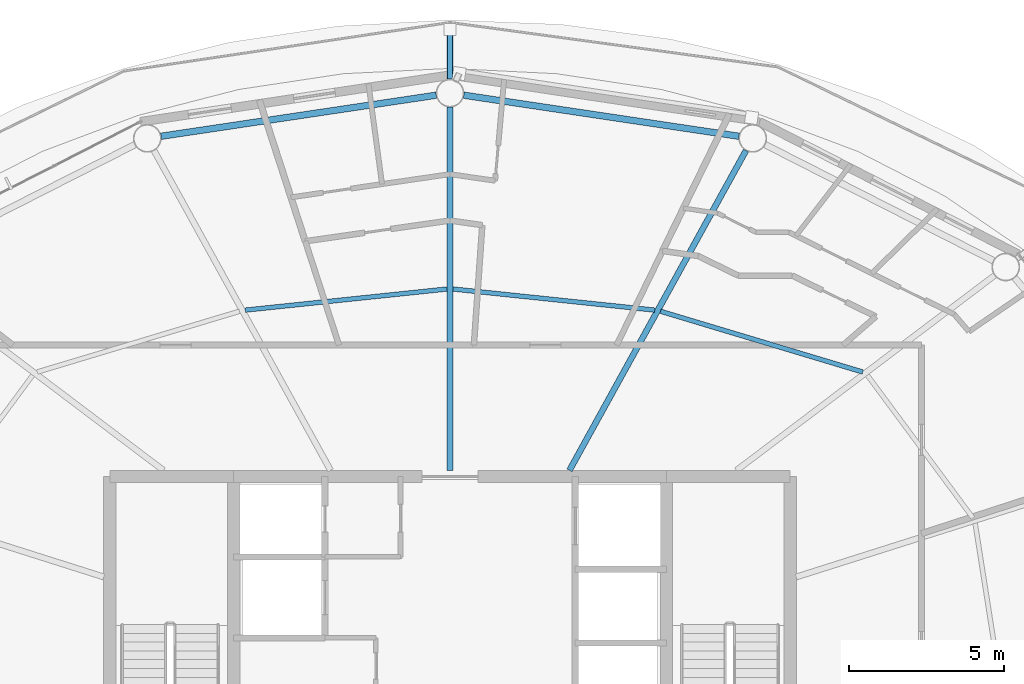
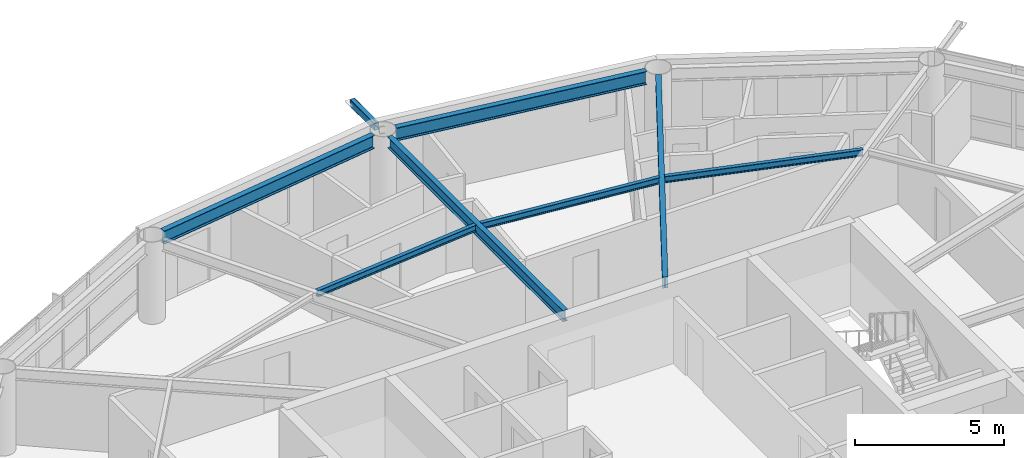
# One storey, part 10 of 23: 7 beams, 1 member.
"""IFC4 building model written with IfcOpenShell, lengths in metres."""

from ifc_helpers import new_model, si_unit, direction, frame, origin, origin_2d, place, context, subcontext, project, spatial, hollow_rectangle, i_section, extrude, material, material_profile, profile_set, type_object, element, save


model = new_model("IFC4")

# Units and contexts
model_context = context("Model", 3, precision=1e-05, world=origin(), true_north=direction((0.0, 1.0)))
body_context = subcontext(model_context, "Body", "Model", "MODEL_VIEW")
ifc_project = project(units=[si_unit("LENGTHUNIT", "METRE"), si_unit("AREAUNIT", "SQUARE_METRE"), si_unit("VOLUMEUNIT", "CUBIC_METRE"), si_unit("PLANEANGLEUNIT", "RADIAN"), si_unit("MASSUNIT", "GRAM", prefix="KILO")], contexts=[model_context])

# Site, building, storey
site_placement = place(None, origin())
site = spatial("IfcSite", under=ifc_project, at=site_placement, CompositionType="ELEMENT")
building_placement = place(site_placement, origin())
building = spatial("IfcBuilding", under=site, at=building_placement, Name="Sarneth Arch Tower", CompositionType="ELEMENT")
storey_placement = place(building_placement, frame((0.0, 0.0, 220.800048828125)))
storey = spatial("IfcBuildingStorey", under=building, at=storey_placement, Name="L56", CompositionType="ELEMENT", Elevation=220.800048828125)

# Beams
ifc_material_1 = material(Name="Steel S355", Category="steel")
ifc_material_profile_1 = material_profile(ifc_material_1, i_section(OverallWidth=0.14794921875, OverallDepth=0.26611328125, WebThickness=0.007568359375, FlangeThickness=0.012939453125, FilletRadius=0.012939453125, at=origin_2d()), Name="W250x44.8")
ifc_profile_set_1 = profile_set([ifc_material_profile_1], Name="Steel S355")
beam_type_1 = type_object("IfcBeamType", Name="BM-JOIST-250", PredefinedType="JOIST", material=ifc_profile_set_1)
beam_1_placement = place(storey_placement, frame((61.35009765625, 52.18017578125, 3.22705078125), z_axis=(-0.957725851155, 0.287682453461, 0.0), x_axis=(-0.287682453461, -0.957725851155, 0.0)))
element("IfcBeam", 1, at=beam_1_placement, inside=storey, type_object=beam_type_1, Name="L56 Secondary floor joist 03", PredefinedType="JOIST", context=body_context, shape_type="SweptSolid", body=[
    extrude(i_section(OverallWidth=0.14794921875, OverallDepth=0.26611328125, WebThickness=0.007568359375, FlangeThickness=0.012939453125, FilletRadius=0.012939453125, at=origin_2d()), origin(), (0.0, 0.0, 1.0), 6.828125),
])
for number, where, z_axis, x_axis, name in (
    (2, (54.623046875, 54.18212890625, 3.22705078125), (-0.994572713015, 0.104043829835, 0.0), (-0.104043829835, -0.994572713015, 0.0), "L56 Secondary floor joist 04"),
    (3, (47.904541015625, 54.864990234375, 3.22705078125), (-0.994572713015, -0.104043829835, 0.0), (0.104043829835, -0.994572713015, 0.0), "L56 Secondary floor joist 05"),
):
    element("IfcBeam", number, at=place(storey_placement, frame(where, z_axis=z_axis, x_axis=x_axis)), inside=storey, type_object=beam_type_1, Name=name, PredefinedType="JOIST", context=body_context, shape_type="SweptSolid", body=[
        extrude(i_section(OverallWidth=0.14794921875, OverallDepth=0.26611328125, WebThickness=0.007568359375, FlangeThickness=0.012939453125, FilletRadius=0.012939453125, at=origin_2d()), origin(), (0.0, 0.0, 1.0), 6.563232421875),
    ])
ifc_material_2 = material(Name="Steel S355", Category="steel")
ifc_material_profile_2 = material_profile(ifc_material_2, i_section(OverallWidth=0.19189453125, OverallDepth=0.462890625, WebThickness=0.010498046875, FlangeThickness=0.017578125, FilletRadius=0.01806640625, at=origin_2d()), Name="W460x89")
ifc_profile_set_2 = profile_set([ifc_material_profile_2], Name="Steel S355")
beam_type_2 = type_object("IfcBeamType", Name="BM-RAD-460B", PredefinedType="BEAM", material=ifc_profile_set_2)
beam_2_placement = place(storey_placement, frame((51.86376953125, 49.0, 3.12841796875), z_axis=(0.483218265038, 0.875499919094, 0.0), x_axis=(-0.875499919094, 0.483218265038, 0.0)))
element("IfcBeam", 4, at=beam_2_placement, inside=storey, type_object=beam_type_2, Name="L56 Radial floor girder 04", PredefinedType="BEAM", context=body_context, shape_type="SweptSolid", body=[
    extrude(i_section(OverallWidth=0.19189453125, OverallDepth=0.462890625, WebThickness=0.010498046875, FlangeThickness=0.017578125, FilletRadius=0.01806640625, at=origin_2d()), origin(), (0.0, 0.0, 1.0), 11.8154296875),
])
beam_3_placement = place(storey_placement, frame((48.0, 49.0, 3.12841796875), z_axis=(0.0, 1.0, 0.0), x_axis=(-1.0, 0.0, 0.0)))
element("IfcBeam", 5, at=beam_3_placement, inside=storey, type_object=beam_type_2, Name="L56 Radial floor girder 05", PredefinedType="BEAM", context=body_context, shape_type="SweptSolid", body=[
    extrude(i_section(OverallWidth=0.19189453125, OverallDepth=0.462890625, WebThickness=0.010498046875, FlangeThickness=0.017578125, FilletRadius=0.01806640625, at=origin_2d()), origin(), (0.0, 0.0, 1.0), 11.75),
])
ifc_material_3 = material(Name="Steel S355", Category="steel")
ifc_material_profile_3 = material_profile(ifc_material_3, i_section(OverallWidth=0.2109375, OverallDepth=0.5390625, WebThickness=0.01171875, FlangeThickness=0.018798828125, FilletRadius=0.01806640625, at=origin_2d()), Name="W530x109")
ifc_profile_set_3 = profile_set([ifc_material_profile_3], Name="Steel S355")
beam_type_3 = type_object("IfcBeamType", Name="BM-RAD-530B", PredefinedType="BEAM", material=ifc_profile_set_3)
for number, where, z_axis, x_axis, name in (
    (6, (57.345703125, 59.804931640625, 3.09033203125), (-0.989041765772, 0.147635990052, 0.0), (-0.147635990052, -0.989041765772, 0.0), "L56 Perimeter spandrel beam 04"),
    (7, (47.554931640625, 61.133544921875, 3.09033203125), (-0.989041765772, -0.147635990052, 0.0), (0.147635990052, -0.989041765772, 0.0), "L56 Perimeter spandrel beam 05"),
):
    element("IfcBeam", number, at=place(storey_placement, frame(where, z_axis=z_axis, x_axis=x_axis)), inside=storey, type_object=beam_type_3, Name=name, PredefinedType="BEAM", context=body_context, shape_type="SweptSolid", body=[
        extrude(i_section(OverallWidth=0.2109375, OverallDepth=0.5390625, WebThickness=0.01171875, FlangeThickness=0.018798828125, FilletRadius=0.01806640625, at=origin_2d()), origin(), (0.0, 0.0, 1.0), 8.999267578125),
    ])

# Member
ifc_material_4 = material(Name="Steel S355", Category="steel")
ifc_material_profile_4 = material_profile(ifc_material_4, hollow_rectangle(XDim=0.199951171875, YDim=0.300048828125, WallThickness=0.012451171875, InnerFilletRadius=0.018798828125, OuterFilletRadius=0.03125, at=origin_2d()), Name="RHS300x200x12.5")
ifc_profile_set_4 = profile_set([ifc_material_profile_4], Name="Steel S355")
member_type = type_object("IfcMemberType", Name="MEM-CANT-STRUT", PredefinedType="STRUT", material=ifc_profile_set_4)
member_placement = place(storey_placement, frame((48.0, 61.64990234375, 3.199951171875), z_axis=(0.0, 1.0, 0.0), x_axis=(-1.0, 0.0, 0.0)))
element("IfcMember", 8, at=member_placement, inside=storey, type_object=member_type, Name="L56 Balcony cantilever bracket 05", PredefinedType="STRUT", context=body_context, shape_type="SweptSolid", body=[
    extrude(hollow_rectangle(XDim=0.199951171875, YDim=0.300048828125, WallThickness=0.012451171875, InnerFilletRadius=0.018798828125, OuterFilletRadius=0.03125, at=origin_2d()), origin(), (0.0, 0.0, 1.0), 1.61083984375),
])

save(model, "model.ifc")
